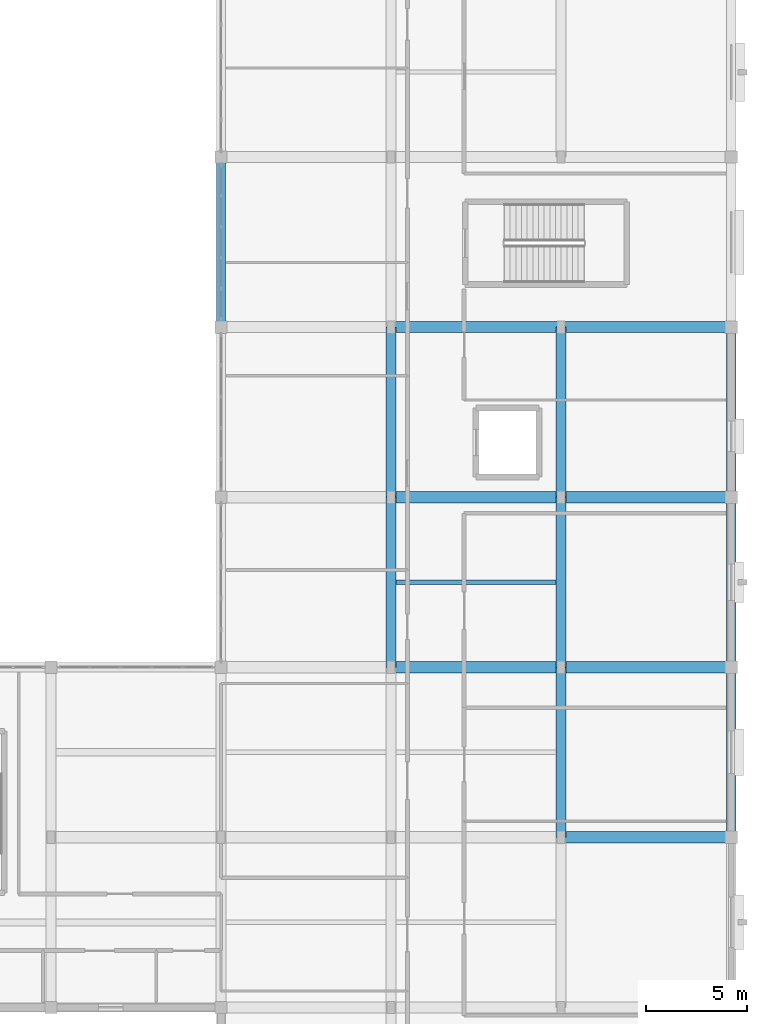
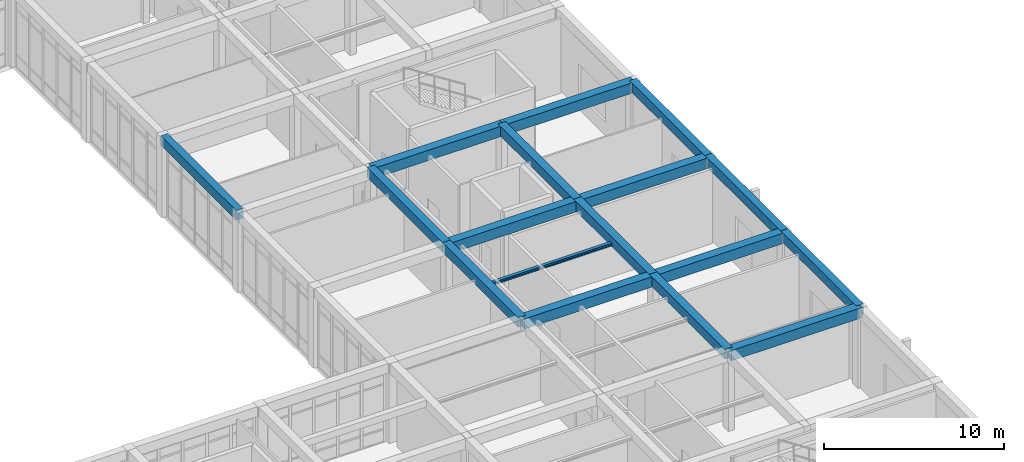
# One storey, part 49 of 157: 17 beams.
"""IFC4 building model written with IfcOpenShell, lengths in metres."""

from ifc_helpers import new_model, si_unit, direction, frame, origin, origin_2d, place, context, subcontext, project, spatial, rectangle, i_section, extrude, material, material_profile, profile_set, type_object, element, save


model = new_model("IFC4")

# Units and contexts
model_context = context("Model", 3, precision=1e-05, world=origin(), true_north=direction((0.0, 1.0)))
body_context = subcontext(model_context, "Body", "Model", "MODEL_VIEW")
ifc_project = project(units=[si_unit("LENGTHUNIT", "METRE"), si_unit("AREAUNIT", "SQUARE_METRE"), si_unit("VOLUMEUNIT", "CUBIC_METRE"), si_unit("PLANEANGLEUNIT", "RADIAN"), si_unit("MASSUNIT", "GRAM", prefix="KILO")], contexts=[model_context])

# Site, building, storey
site_placement = place(None, origin())
site = spatial("IfcSite", under=ifc_project, at=site_placement, CompositionType="ELEMENT")
building_placement = place(site_placement, origin())
building = spatial("IfcBuilding", under=site, at=building_placement, Name="Varncliffe General Hospital", CompositionType="ELEMENT")
storey_placement = place(building_placement, frame((0.0, 0.0, 5.39990234375)))
storey = spatial("IfcBuildingStorey", under=building, at=storey_placement, Name="L01", CompositionType="ELEMENT", Elevation=5.39990234375)

# Beams
ifc_material_1 = material(Name="Concrete C35/45 (CSA A23.1 35 MPa)", Category="concrete")
ifc_material_profile_1 = material_profile(ifc_material_1, rectangle(XDim=0.5, YDim=0.64990234375, at=origin_2d()), Name="RC 500x650")
ifc_profile_set_1 = profile_set([ifc_material_profile_1], Name="Concrete C35/45 (CSA A23.1 35 MPa)")
beam_type_1 = type_object("IfcBeamType", Name="Beam B29 (Int RC 500x650)", PredefinedType="BEAM", material=ifc_profile_set_1)
beam_1_placement = place(storey_placement, frame((159.60009765625, 40.800048828125, 5.0751953125), z_axis=(0.0, 1.0, 0.0), x_axis=(-1.0, 0.0, 0.0)))
element("IfcBeam", 1, at=beam_1_placement, inside=storey, type_object=beam_type_1, Name="L01 Primary Beam B29-482", PredefinedType="BEAM", context=body_context, shape_type="SweptSolid", body=[
    extrude(rectangle(XDim=0.5, YDim=0.64990234375, at=origin_2d()), origin(), (0.0, 0.0, 1.0), 8.39990234375),
])
for number, where, z_axis, x_axis, name in (
    (2, (159.60009765625, 49.199951171875, 5.0751953125), (0.0, 1.0, 0.0), (-1.0, 0.0, 0.0), "L01 Primary Beam B29-483"),
    (3, (168.0, 32.39990234375, 5.0751953125), (0.0, 1.0, 0.0), (-1.0, 0.0, 0.0), "L01 Primary Beam B29-497"),
):
    element("IfcBeam", number, at=place(storey_placement, frame(where, z_axis=z_axis, x_axis=x_axis)), inside=storey, type_object=beam_type_1, Name=name, PredefinedType="BEAM", context=body_context, shape_type="SweptSolid", body=[
        extrude(rectangle(XDim=0.5, YDim=0.64990234375, at=origin_2d()), origin(), (0.0, 0.0, 1.0), 8.400146484375),
    ])
beam_2_placement = place(storey_placement, frame((168.0, 40.800048828125, 5.0751953125), z_axis=(0.0, 1.0, 0.0), x_axis=(-1.0, 0.0, 0.0)))
element("IfcBeam", 4, at=beam_2_placement, inside=storey, type_object=beam_type_1, Name="L01 Primary Beam B29-498", PredefinedType="BEAM", context=body_context, shape_type="SweptSolid", body=[
    extrude(rectangle(XDim=0.5, YDim=0.64990234375, at=origin_2d()), origin(), (0.0, 0.0, 1.0), 8.39990234375),
])
beam_3_placement = place(storey_placement, frame((168.0, 49.199951171875, 5.0751953125), z_axis=(0.0, 1.0, 0.0), x_axis=(-1.0, 0.0, 0.0)))
element("IfcBeam", 5, at=beam_3_placement, inside=storey, type_object=beam_type_1, Name="L01 Primary Beam B29-499", PredefinedType="BEAM", context=body_context, shape_type="SweptSolid", body=[
    extrude(rectangle(XDim=0.5, YDim=0.64990234375, at=origin_2d()), origin(), (0.0, 0.0, 1.0), 8.400146484375),
])
ifc_material_profile_2 = material_profile(ifc_material_1, rectangle(XDim=0.550048828125, YDim=0.699951171875, at=origin_2d()), Name="RC 550x700")
ifc_profile_set_2 = profile_set([ifc_material_profile_2], Name="Concrete C35/45 (CSA A23.1 35 MPa)")
beam_type_2 = type_object("IfcBeamType", Name="Beam B35 (Int RC 550x700)", PredefinedType="BEAM", material=ifc_profile_set_2)
for number, where, z_axis, x_axis, name in (
    (6, (168.0, 32.39990234375, 5.050048828125), (1.0, 0.0, 0.0), (0.0, 1.0, 0.0), "L01 Primary Beam B35-52"),
    (7, (159.60009765625, 40.800048828125, 5.050048828125), (1.0, 0.0, 0.0), (0.0, 1.0, 0.0), "L01 Primary Beam B35-65"),
    (8, (168.0, 40.800048828125, 5.050048828125), (1.0, 0.0, 0.0), (0.0, 1.0, 0.0), "L01 Primary Beam B35-66"),
    (9, (159.60009765625, 49.199951171875, 5.050048828125), (1.0, 0.0, 0.0), (0.0, 1.0, 0.0), "L01 Primary Beam B35-71"),
    (10, (168.0, 49.199951171875, 5.050048828125), (1.0, 0.0, 0.0), (0.0, 1.0, 0.0), "L01 Primary Beam B35-72"),
    (11, (159.60009765625, 57.60009765625, 5.050048828125), (1.0, 0.0, 0.0), (0.0, 1.0, 0.0), "L01 Primary Beam B35-84"),
    (12, (168.0, 57.60009765625, 5.050048828125), (1.0, 0.0, 0.0), (0.0, 1.0, 0.0), "L01 Primary Beam B35-85"),
):
    element("IfcBeam", number, at=place(storey_placement, frame(where, z_axis=z_axis, x_axis=x_axis)), inside=storey, type_object=beam_type_2, Name=name, PredefinedType="BEAM", context=body_context, shape_type="SweptSolid", body=[
        extrude(rectangle(XDim=0.550048828125, YDim=0.699951171875, at=origin_2d()), origin(), (0.0, 0.0, 1.0), 8.39990234375),
    ])
ifc_material_2 = material(Name="Steel S355 (CSA G40.21 350W)", Category="steel")
ifc_material_profile_3 = material_profile(ifc_material_2, i_section(OverallWidth=0.2041015625, OverallDepth=0.2060546875, WebThickness=0.0078125, FlangeThickness=0.0126953125, FilletRadius=0.010986328125, at=origin_2d()), Name="W200x52")
ifc_profile_set_3 = profile_set([ifc_material_profile_3], Name="Steel S355 (CSA G40.21 350W)")
beam_type_3 = type_object("IfcBeamType", Name="Joist J27 (Int W200x52)", PredefinedType="JOIST", material=ifc_profile_set_3)
beam_4_placement = place(storey_placement, frame((159.847900390625, 45.0, 4.93701171875), z_axis=(1.0, 0.0, 0.0), x_axis=(0.0, 1.0, 0.0)))
element("IfcBeam", 13, at=beam_4_placement, inside=storey, type_object=beam_type_3, Name="L01 Secondary Floor Rib J27-79", PredefinedType="JOIST", context=body_context, shape_type="SweptSolid", body=[
    extrude(i_section(OverallWidth=0.2041015625, OverallDepth=0.2060546875, WebThickness=0.0078125, FlangeThickness=0.0126953125, FilletRadius=0.010986328125, at=origin_2d()), origin(), (0.0, 0.0, 1.0), 7.904052734375),
])
ifc_material_profile_4 = material_profile(ifc_material_1, rectangle(XDim=0.449951171875, YDim=0.64990234375, at=origin_2d()), Name="RC 450x650")
ifc_profile_set_4 = profile_set([ifc_material_profile_4], Name="Concrete C35/45 (CSA A23.1 35 MPa)")
beam_type_4 = type_object("IfcBeamType", Name="Spandrel SP38 (Ext RC 450x650B)", PredefinedType="SPANDREL", material=ifc_profile_set_4)
beam_5_placement = place(storey_placement, frame((151.199951171875, 57.60009765625, 5.0751953125), z_axis=(0.0, 1.0, 0.0), x_axis=(-1.0, 0.0, 0.0)))
element("IfcBeam", 14, at=beam_5_placement, inside=storey, type_object=beam_type_4, Name="L01 Spandrel Beam SP38-467", PredefinedType="SPANDREL", context=body_context, shape_type="SweptSolid", body=[
    extrude(rectangle(XDim=0.449951171875, YDim=0.64990234375, at=origin_2d()), origin(), (0.0, 0.0, 1.0), 8.39990234375),
])
beam_6_placement = place(storey_placement, frame((176.39990234375, 32.39990234375, 5.0751953125), z_axis=(0.0, 1.0, 0.0), x_axis=(-1.0, 0.0, 0.0)))
element("IfcBeam", 15, at=beam_6_placement, inside=storey, type_object=beam_type_4, Name="L01 Spandrel Beam SP38-513", PredefinedType="SPANDREL", context=body_context, shape_type="SweptSolid", body=[
    extrude(rectangle(XDim=0.449951171875, YDim=0.64990234375, at=origin_2d()), origin(), (0.0, 0.0, 1.0), 8.400146484375),
])
beam_7_placement = place(storey_placement, frame((176.39990234375, 40.800048828125, 5.0751953125), z_axis=(0.0, 1.0, 0.0), x_axis=(-1.0, 0.0, 0.0)))
element("IfcBeam", 16, at=beam_7_placement, inside=storey, type_object=beam_type_4, Name="L01 Spandrel Beam SP38-514", PredefinedType="SPANDREL", context=body_context, shape_type="SweptSolid", body=[
    extrude(rectangle(XDim=0.449951171875, YDim=0.64990234375, at=origin_2d()), origin(), (0.0, 0.0, 1.0), 8.39990234375),
])
beam_8_placement = place(storey_placement, frame((176.39990234375, 49.199951171875, 5.0751953125), z_axis=(0.0, 1.0, 0.0), x_axis=(-1.0, 0.0, 0.0)))
element("IfcBeam", 17, at=beam_8_placement, inside=storey, type_object=beam_type_4, Name="L01 Spandrel Beam SP38-515", PredefinedType="SPANDREL", context=body_context, shape_type="SweptSolid", body=[
    extrude(rectangle(XDim=0.449951171875, YDim=0.64990234375, at=origin_2d()), origin(), (0.0, 0.0, 1.0), 8.400146484375),
])

save(model, "model.ifc")
